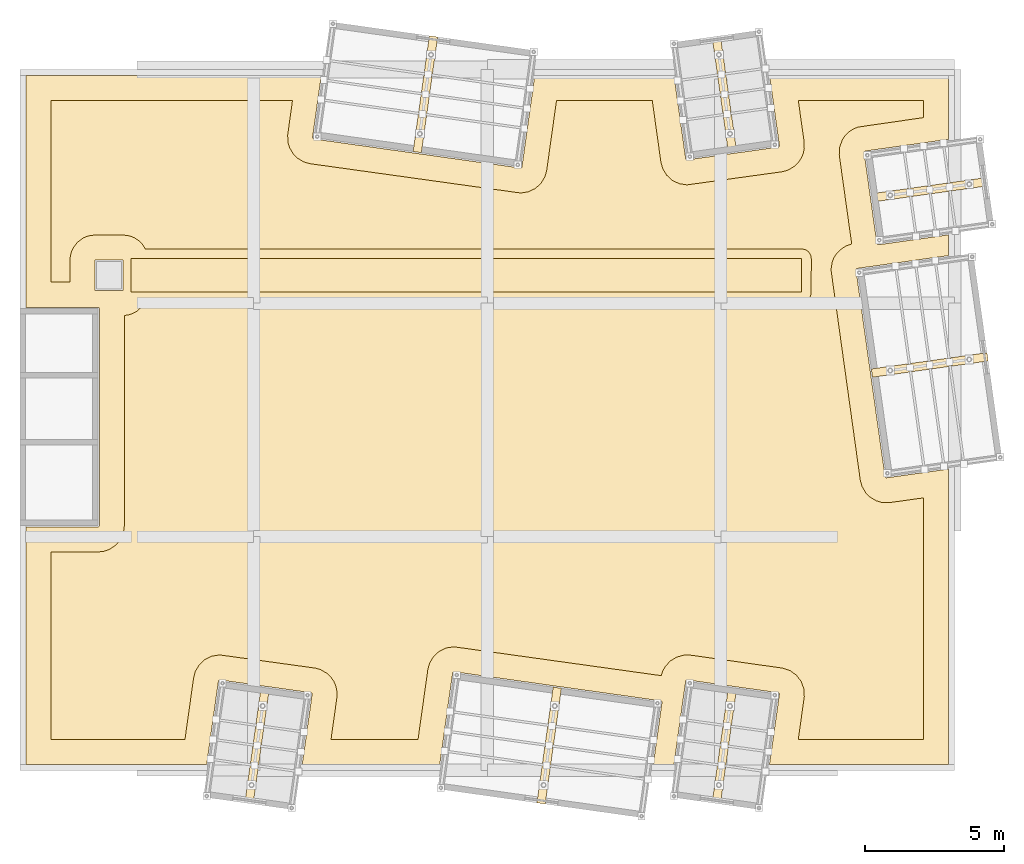
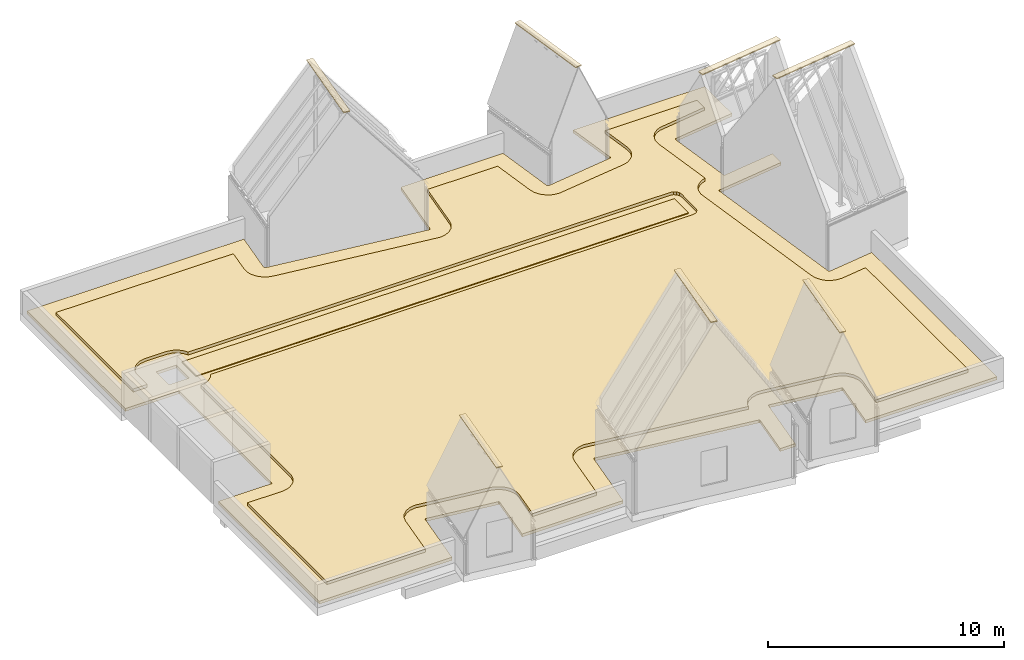
# One storey, part 11 of 11: 10 coverings.
"""IFC4 building model written with IfcOpenShell, lengths in metres."""

from ifc_helpers import new_model, si_unit, direction, frame, origin, place, context, subcontext, project, spatial, polyline, outline, extrude, material, layer, layer_set, type_object, element, save


model = new_model("IFC4")

# Units and contexts
model_context = context("Model", 3, precision=1e-05, world=origin(), true_north=direction((0.0, 1.0)))
body_context = subcontext(model_context, "Body", "Model", "MODEL_VIEW")
ifc_project = project(units=[si_unit("LENGTHUNIT", "METRE"), si_unit("AREAUNIT", "SQUARE_METRE"), si_unit("VOLUMEUNIT", "CUBIC_METRE"), si_unit("PLANEANGLEUNIT", "RADIAN"), si_unit("MASSUNIT", "GRAM", prefix="KILO")], contexts=[model_context])

# Site, building, storey
site_placement = place(None, origin())
site = spatial("IfcSite", under=ifc_project, at=site_placement, CompositionType="ELEMENT")
building_placement = place(site_placement, origin())
building = spatial("IfcBuilding", under=site, at=building_placement, Name="Kiln Court Media Centre", CompositionType="ELEMENT")
storey_placement = place(building_placement, frame((0.0, 0.0, 42.60009765625)))
storey = spatial("IfcBuildingStorey", under=building, at=storey_placement, Name="ROOF", CompositionType="ELEMENT", Elevation=42.60009765625)

# Coverings
ifc_material_1 = material(Name="Planting substrate and sedum")
ifc_layer_1 = layer(ifc_material_1, 0.14990234375)
ifc_layer_set_1 = layer_set([ifc_layer_1], Name="Green roof planting trays 150")
covering_type_1 = type_object("IfcCoveringType", Name="Green roof planting trays 150", PredefinedType="USERDEFINED", material=ifc_layer_set_1)
covering_1_placement = place(storey_placement, frame((0.0, 0.0, 0.14990234375)))
element("IfcCovering", 1, at=covering_1_placement, inside=storey, type_object=covering_type_1, Name="V6A green roof", ObjectType="GREEN ROOF", PredefinedType="USERDEFINED", context=body_context, shape_type="SweptSolid", body=[
    extrude(outline(polyline([(1.114990234375, 17.550048828125), (1.114990234375, 24.0849609375), (9.797119140625, 24.0849609375), (9.623046875, 22.83935546875), (9.63818359375, 22.56103515625), (9.695068359375, 22.378662109375), (9.837646484375, 22.144775390625), (9.973876953125, 22.0107421875), (10.2099609375, 21.87158203125), (10.436767578125, 21.810302734375), (18.000732421875, 20.75732421875), (18.2763671875, 20.7998046875), (18.527587890625, 20.920166015625), (18.736328125, 21.1123046875), (18.877197265625, 21.352783203125), (18.936767578125, 21.5751953125), (19.28955078125, 24.0849609375), (22.731201171875, 24.0849609375), (23.042724609375, 21.8671875), (23.10400390625, 21.640380859375), (23.24609375, 21.400634765625), (23.451904296875, 21.21240234375), (23.703125, 21.091796875), (23.978759765625, 21.049560546875), (27.42724609375, 21.525390625), (27.610595703125, 21.579345703125), (27.8466796875, 21.718505859375), (27.982666015625, 21.8525390625), (28.0869140625, 22.0068359375), (28.1591796875, 22.178466796875), (28.1962890625, 22.36083984375), (28.192138671875, 22.591064453125), (27.982421875, 24.0849609375), (32.485107421875, 24.0849609375), (32.485107421875, 23.46875), (30.133056640625, 23.128173828125), (29.960205078125, 23.05859375), (29.804443359375, 22.956787109375), (29.67138671875, 22.826416015625), (29.56640625, 22.6728515625), (29.4697265625, 22.411376953125), (29.453369140625, 22.133056640625), (29.903076171875, 18.9228515625), (29.748291015625, 18.87548828125), (29.587646484375, 18.791259765625), (29.3759765625, 18.602294921875), (29.271728515625, 18.447998046875), (29.201171875, 18.281005859375), (29.157470703125, 18.000732421875), (30.210205078125, 10.436767578125), (30.271484375, 10.2099609375), (30.41064453125, 9.973876953125), (30.544921875, 9.837646484375), (30.778564453125, 9.695068359375), (30.961181640625, 9.63818359375), (31.239501953125, 9.623046875), (32.485107421875, 9.797119140625), (32.485107421875, 1.114990234375), (27.982421875, 1.114990234375), (28.197265625, 2.65283203125), (28.18115234375, 2.93603515625), (28.084716796875, 3.197509765625), (27.916259765625, 3.419677734375), (27.695068359375, 3.581298828125), (27.43212890625, 3.673828125), (24.11572265625, 4.14111328125), (23.8857421875, 4.145263671875), (23.611083984375, 4.07421875), (23.37353515625, 3.9287109375), (23.1884765625, 3.72021484375), (23.10400390625, 3.5595703125), (23.056640625, 3.404541015625), (15.59912109375, 4.442626953125), (15.32373046875, 4.400390625), (15.072265625, 4.27978515625), (14.863525390625, 4.087890625), (14.72265625, 3.84716796875), (14.663330078125, 3.625), (14.310546875, 1.114990234375), (11.182373046875, 1.114990234375), (11.39208984375, 2.60888671875), (11.396240234375, 2.839111328125), (11.357666015625, 3.026123046875), (11.28466796875, 3.197509765625), (11.1796875, 3.351318359375), (11.046630859375, 3.481689453125), (10.810546875, 3.62060546875), (10.627197265625, 3.6748046875), (7.1787109375, 4.150390625), (6.9033203125, 4.108154296875), (6.65185546875, 3.987548828125), (6.4462890625, 3.79931640625), (6.30419921875, 3.5595703125), (6.242919921875, 3.332763671875), (5.93115234375, 1.114990234375), (1.114990234375, 1.114990234375), (1.114990234375, 7.849853515625), (2.800048828125, 7.849853515625), (3.0283203125, 7.877685546875), (3.20849609375, 7.942138671875), (3.43603515625, 8.094482421875), (3.564453125, 8.236083984375), (3.693603515625, 8.4775390625), (3.7392578125, 8.658203125), (3.75, 8.7998046875), (3.75, 16.3525390625), (3.961181640625, 16.388916015625), (4.199951171875, 16.501708984375), (4.395751953125, 16.678955078125), (4.505126953125, 16.85009765625), (28.13427734375, 16.851806640625), (28.264892578125, 16.891357421875), (28.347412109375, 16.952392578125), (28.40869140625, 17.034912109375), (28.443359375, 17.131591796875), (28.449951171875, 18.39990234375), (28.42333984375, 18.533935546875), (28.347412109375, 18.6474609375), (28.23388671875, 18.723388671875), (28.10009765625, 18.75), (4.505126953125, 18.75), (4.395751953125, 18.9208984375), (4.27099609375, 19.045654296875), (4.124267578125, 19.143798828125), (3.961181640625, 19.211181640625), (3.699951171875, 19.25), (2.699951171875, 19.25), (2.438720703125, 19.211181640625), (2.275634765625, 19.143798828125), (2.063720703125, 18.986328125), (1.90625, 18.7744140625), (1.8388671875, 18.611328125), (1.80419921875, 18.438232421875), (1.800048828125, 17.550048828125), (1.114990234375, 17.550048828125)])), origin(), (0.0, 0.0, 1.0), 0.14990234375),
])
ifc_material_2 = material(Name="Bituminous roofing membrane on insulation")
ifc_layer_2 = layer(ifc_material_2, 0.14990234375)
ifc_layer_set_2 = layer_set([ifc_layer_2], Name="Roofing membrane and insulation 150")
covering_type_2 = type_object("IfcCoveringType", Name="Roofing membrane and insulation 150", PredefinedType="ROOFING", material=ifc_layer_set_2)
covering_2_placement = place(storey_placement, origin())
element("IfcCovering", 2, at=covering_2_placement, inside=storey, type_object=covering_type_2, Name="V6A roofing", PredefinedType="ROOFING", context=body_context, shape_type="SweptSolid", body=[
    extrude(outline(polyline([(27.301513671875, 2.743896484375), (27.30078125, 2.748779296875), (27.2998046875, 2.753662109375), (27.29833984375, 2.75830078125), (27.29638671875, 2.762939453125), (27.294189453125, 2.76708984375), (27.29150390625, 2.771240234375), (27.288330078125, 2.77490234375), (27.284912109375, 2.778564453125), (27.281005859375, 2.781494140625), (27.27685546875, 2.7841796875), (27.2724609375, 2.78662109375), (27.267822265625, 2.788330078125), (27.26318359375, 2.789794921875), (27.25830078125, 2.790771484375), (23.990478515625, 3.25), (23.985595703125, 3.25048828125), (23.980712890625, 3.25048828125), (23.975830078125, 3.249755859375), (23.97119140625, 3.248779296875), (23.96630859375, 3.247314453125), (23.9619140625, 3.24560546875), (23.95751953125, 3.2431640625), (23.95361328125, 3.240478515625), (23.94970703125, 3.2373046875), (23.9462890625, 3.233642578125), (23.943115234375, 3.22998046875), (23.9404296875, 3.225830078125), (23.938232421875, 3.221435546875), (23.936279296875, 3.216796875), (23.93505859375, 3.212158203125), (23.93408203125, 3.20751953125), (23.513427734375, 0.215087890625), (22.767578125, 0.215087890625), (23.08056640625, 2.44189453125), (23.0810546875, 2.44677734375), (23.080810546875, 2.45166015625), (23.080322265625, 2.45654296875), (23.079345703125, 2.46142578125), (23.077880859375, 2.466064453125), (23.076171875, 2.470703125), (23.07373046875, 2.474853515625), (23.071044921875, 2.47900390625), (23.06787109375, 2.48291015625), (23.064208984375, 2.486083984375), (23.060546875, 2.4892578125), (23.056396484375, 2.491943359375), (23.052001953125, 2.494384765625), (23.047607421875, 2.49609375), (23.042724609375, 2.49755859375), (23.0380859375, 2.498291015625), (15.611083984375, 3.542236328125), (15.606201171875, 3.542724609375), (15.601318359375, 3.54248046875), (15.59619140625, 3.5419921875), (15.591552734375, 3.541015625), (15.5869140625, 3.539794921875), (15.582275390625, 3.53759765625), (15.577880859375, 3.535400390625), (15.573974609375, 3.53271484375), (15.5703125, 3.529541015625), (15.566650390625, 3.52587890625), (15.563720703125, 3.522216796875), (15.560791015625, 3.51806640625), (15.55859375, 3.513671875), (15.556884765625, 3.50927734375), (15.555419921875, 3.50439453125), (15.554443359375, 3.499755859375), (15.093017578125, 0.215087890625), (10.14697265625, 0.215087890625), (10.5009765625, 2.734130859375), (10.50146484375, 2.739013671875), (10.50146484375, 2.743896484375), (10.5009765625, 2.748779296875), (10.5, 2.753662109375), (10.498291015625, 2.75830078125), (10.49658203125, 2.762939453125), (10.494140625, 2.76708984375), (10.491455078125, 2.771240234375), (10.48828125, 2.77490234375), (10.48486328125, 2.778564453125), (10.48095703125, 2.781494140625), (10.476806640625, 2.7841796875), (10.472412109375, 2.78662109375), (10.468017578125, 2.788330078125), (10.463134765625, 2.789794921875), (10.45849609375, 2.790771484375), (7.1904296875, 3.25), (7.185546875, 3.25048828125), (7.1806640625, 3.25048828125), (7.17578125, 3.249755859375), (7.171142578125, 3.248779296875), (7.16650390625, 3.247314453125), (7.161865234375, 3.24560546875), (7.157470703125, 3.2431640625), (7.153564453125, 3.240478515625), (7.149658203125, 3.2373046875), (7.146240234375, 3.233642578125), (7.143310546875, 3.22998046875), (7.140380859375, 3.225830078125), (7.13818359375, 3.221435546875), (7.136474609375, 3.216796875), (7.135009765625, 3.212158203125), (7.134033203125, 3.20751953125), (6.71337890625, 0.215087890625), (0.215087890625, 0.215087890625), (0.215087890625, 8.75), (2.800048828125, 8.75), (2.804931640625, 8.75), (2.809814453125, 8.7509765625), (2.814453125, 8.752197265625), (2.819091796875, 8.753662109375), (2.823486328125, 8.755859375), (2.827880859375, 8.75830078125), (2.831787109375, 8.76123046875), (2.83544921875, 8.764404296875), (2.838623046875, 8.768310546875), (2.841552734375, 8.772216796875), (2.843994140625, 8.7763671875), (2.84619140625, 8.78076171875), (2.847900390625, 8.785400390625), (2.84912109375, 8.7900390625), (2.849853515625, 8.794921875), (2.85009765625, 8.7998046875), (2.85009765625, 9.0), (2.85009765625, 9.0), (2.85009765625, 9.0), (2.85009765625, 11.699951171875), (2.85009765625, 11.699951171875), (2.85009765625, 11.89990234375), (2.85009765625, 14.10009765625), (2.85009765625, 14.10009765625), (2.85009765625, 14.300048828125), (2.85009765625, 14.300048828125), (2.85009765625, 16.39990234375), (2.85009765625, 16.39990234375), (2.85009765625, 16.39990234375), (2.85009765625, 16.60009765625), (2.849853515625, 16.60498046875), (2.84912109375, 16.60986328125), (2.847900390625, 16.614501953125), (2.84619140625, 16.619140625), (2.843994140625, 16.62353515625), (2.841552734375, 16.627685546875), (2.838623046875, 16.631591796875), (2.83544921875, 16.635498046875), (2.831787109375, 16.638671875), (2.827880859375, 16.6416015625), (2.823486328125, 16.64404296875), (2.819091796875, 16.646240234375), (2.814453125, 16.647705078125), (2.809814453125, 16.64892578125), (2.804931640625, 16.64990234375), (2.800048828125, 16.64990234375), (0.215087890625, 16.64990234375), (0.215087890625, 24.985107421875), (10.83251953125, 24.985107421875), (10.51953125, 22.758056640625), (10.51904296875, 22.753173828125), (10.51904296875, 22.748291015625), (10.51953125, 22.743408203125), (10.5205078125, 22.738525390625), (10.52197265625, 22.73388671875), (10.52392578125, 22.7294921875), (10.5263671875, 22.72509765625), (10.529052734375, 22.720947265625), (10.5322265625, 22.71728515625), (10.53564453125, 22.7138671875), (10.53955078125, 22.710693359375), (10.543701171875, 22.7080078125), (10.5478515625, 22.705810546875), (10.552490234375, 22.703857421875), (10.55712890625, 22.702392578125), (10.56201171875, 22.70166015625), (17.989013671875, 21.65771484375), (17.993896484375, 21.6572265625), (17.998779296875, 21.657470703125), (18.003662109375, 21.657958984375), (18.008544921875, 21.658935546875), (18.01318359375, 21.660400390625), (18.017578125, 21.662353515625), (18.02197265625, 21.66455078125), (18.026123046875, 21.66748046875), (18.02978515625, 21.67041015625), (18.033203125, 21.674072265625), (18.036376953125, 21.677734375), (18.0390625, 21.681884765625), (18.041259765625, 21.686279296875), (18.043212890625, 21.69091796875), (18.044677734375, 21.695556640625), (18.04541015625, 21.7001953125), (18.507080078125, 24.985107421875), (23.513427734375, 24.985107421875), (23.93408203125, 21.99267578125), (23.93505859375, 21.98779296875), (23.936279296875, 21.983154296875), (23.938232421875, 21.978515625), (23.9404296875, 21.97412109375), (23.943115234375, 21.97021484375), (23.9462890625, 21.96630859375), (23.94970703125, 21.962890625), (23.95361328125, 21.959716796875), (23.95751953125, 21.956787109375), (23.9619140625, 21.95458984375), (23.96630859375, 21.95263671875), (23.97119140625, 21.951171875), (23.975830078125, 21.9501953125), (23.980712890625, 21.94970703125), (23.985595703125, 21.94970703125), (23.990478515625, 21.949951171875), (27.25830078125, 22.4091796875), (27.26318359375, 22.41015625), (27.267822265625, 22.41162109375), (27.2724609375, 22.41357421875), (27.27685546875, 22.415771484375), (27.281005859375, 22.41845703125), (27.284912109375, 22.42138671875), (27.288330078125, 22.425048828125), (27.29150390625, 22.4287109375), (27.294189453125, 22.432861328125), (27.29638671875, 22.43701171875), (27.29833984375, 22.441650390625), (27.2998046875, 22.4462890625), (27.30078125, 22.451171875), (27.301513671875, 22.4560546875), (27.301513671875, 22.4609375), (27.301025390625, 22.4658203125), (26.947021484375, 24.985107421875), (33.385009765625, 24.985107421875), (33.385009765625, 22.6865234375), (30.392578125, 22.265869140625), (30.3876953125, 22.264892578125), (30.383056640625, 22.263671875), (30.37841796875, 22.26171875), (30.374267578125, 22.259521484375), (30.3701171875, 22.2568359375), (30.3662109375, 22.253662109375), (30.36279296875, 22.250244140625), (30.359619140625, 22.24658203125), (30.35693359375, 22.242431640625), (30.3544921875, 22.238037109375), (30.3525390625, 22.233642578125), (30.351318359375, 22.22900390625), (30.35009765625, 22.22412109375), (30.349609375, 22.21923828125), (30.349609375, 22.21435546875), (30.35009765625, 22.20947265625), (30.809326171875, 18.941650390625), (30.810302734375, 18.936767578125), (30.8115234375, 18.93212890625), (30.8134765625, 18.927490234375), (30.815673828125, 18.923095703125), (30.818359375, 18.919189453125), (30.821533203125, 18.915283203125), (30.824951171875, 18.91162109375), (30.82861328125, 18.90869140625), (30.832763671875, 18.90576171875), (30.837158203125, 18.903564453125), (30.841552734375, 18.901611328125), (30.84619140625, 18.900146484375), (30.85107421875, 18.899169921875), (30.85595703125, 18.898681640625), (30.86083984375, 18.898681640625), (30.86572265625, 18.89892578125), (33.385009765625, 19.253173828125), (33.385009765625, 18.507080078125), (30.100341796875, 18.04541015625), (30.095458984375, 18.044677734375), (30.0908203125, 18.043212890625), (30.086181640625, 18.041259765625), (30.081787109375, 18.0390625), (30.077880859375, 18.036376953125), (30.073974609375, 18.033203125), (30.070556640625, 18.02978515625), (30.0673828125, 18.026123046875), (30.064697265625, 18.02197265625), (30.062255859375, 18.017578125), (30.060302734375, 18.01318359375), (30.058837890625, 18.008544921875), (30.057861328125, 18.003662109375), (30.057373046875, 17.998779296875), (30.057373046875, 17.993896484375), (30.057861328125, 17.989013671875), (31.1015625, 10.56201171875), (31.1025390625, 10.55712890625), (31.10400390625, 10.552490234375), (31.105712890625, 10.5478515625), (31.10791015625, 10.543701171875), (31.110595703125, 10.53955078125), (31.11376953125, 10.53564453125), (31.1171875, 10.5322265625), (31.12109375, 10.529052734375), (31.125, 10.5263671875), (31.12939453125, 10.52392578125), (31.1337890625, 10.52197265625), (31.138671875, 10.5205078125), (31.143310546875, 10.51953125), (31.148193359375, 10.51904296875), (31.1533203125, 10.51904296875), (31.158203125, 10.51953125), (33.385009765625, 10.83251953125), (33.385009765625, 0.215087890625), (26.947021484375, 0.215087890625), (27.301025390625, 2.734130859375), (27.301513671875, 2.739013671875), (27.301513671875, 2.743896484375)]), holes=[polyline([(3.699951171875, 17.25), (3.699951171875, 18.35009765625), (2.699951171875, 18.35009765625), (2.699951171875, 17.25), (3.699951171875, 17.25)])]), origin(), (0.0, 0.0, 1.0), 0.14990234375),
])
ifc_material_3 = material(Name="Standing seam roofing")
ifc_layer_3 = layer(ifc_material_3, 0.050048828125)
ifc_layer_set_3 = layer_set([ifc_layer_3], Name="Standing seam ridge cap 50")
covering_type_3 = type_object("IfcCoveringType", Name="Standing seam ridge cap 50", PredefinedType="USERDEFINED", material=ifc_layer_set_3)
covering_3_placement = place(storey_placement, frame((0.0, 0.0, 5.103759765625)))
element("IfcCovering", 3, at=covering_3_placement, inside=storey, type_object=covering_type_3, Name="CROWN-1 ridge cap", ObjectType="RIDGE CAP", PredefinedType="USERDEFINED", context=body_context, shape_type="SweptSolid", body=[
    extrude(outline(polyline([(8.6689453125, 2.99169921875), (8.966064453125, 2.949951171875), (8.381591796875, -1.209228515625), (8.08447265625, -1.16748046875), (8.6689453125, 2.99169921875)])), origin(), (0.0, 0.0, 1.0), 0.050048828125),
])
covering_4_placement = place(storey_placement, frame((0.0, 0.0, 8.946044921875)))
element("IfcCovering", 4, at=covering_4_placement, inside=storey, type_object=covering_type_3, Name="CROWN-2 ridge cap", ObjectType="RIDGE CAP", PredefinedType="USERDEFINED", context=body_context, shape_type="SweptSolid", body=[
    extrude(outline(polyline([(19.1689453125, 2.99169921875), (19.466064453125, 2.949951171875), (18.881591796875, -1.209228515625), (18.58447265625, -1.16748046875), (19.1689453125, 2.99169921875)])), origin(), (0.0, 0.0, 1.0), 0.050048828125),
])
covering_5_placement = place(storey_placement, frame((0.0, 0.0, 6.208984375)))
element("IfcCovering", 5, at=covering_5_placement, inside=storey, type_object=covering_type_3, Name="CROWN-3 ridge cap", ObjectType="RIDGE CAP", PredefinedType="USERDEFINED", context=body_context, shape_type="SweptSolid", body=[
    extrude(outline(polyline([(25.468994140625, 2.99169921875), (25.76611328125, 2.949951171875), (25.181396484375, -1.209228515625), (24.884521484375, -1.16748046875), (25.468994140625, 2.99169921875)])), origin(), (0.0, 0.0, 1.0), 0.050048828125),
])
covering_6_placement = place(storey_placement, frame((0.0, 0.0, 8.05322265625)))
element("IfcCovering", 6, at=covering_6_placement, inside=storey, type_object=covering_type_3, Name="CROWN-4 ridge cap", ObjectType="RIDGE CAP", PredefinedType="USERDEFINED", context=body_context, shape_type="SweptSolid", body=[
    extrude(outline(polyline([(30.650146484375, 14.1337890625), (30.6083984375, 14.430908203125), (34.767333984375, 15.015380859375), (34.80908203125, 14.718505859375), (30.650146484375, 14.1337890625)])), origin(), (0.0, 0.0, 1.0), 0.050048828125),
])
covering_7_placement = place(storey_placement, frame((0.0, 0.0, 4.44091796875)))
element("IfcCovering", 7, at=covering_7_placement, inside=storey, type_object=covering_type_3, Name="CROWN-5 ridge cap", ObjectType="RIDGE CAP", PredefinedType="USERDEFINED", context=body_context, shape_type="SweptSolid", body=[
    extrude(outline(polyline([(30.650146484375, 20.433837890625), (30.6083984375, 20.73095703125), (34.767333984375, 21.3154296875), (34.80908203125, 21.0185546875), (30.650146484375, 20.433837890625)])), origin(), (0.0, 0.0, 1.0), 0.050048828125),
])
covering_8_placement = place(storey_placement, frame((0.0, 0.0, 7.160400390625)))
element("IfcCovering", 8, at=covering_8_placement, inside=storey, type_object=covering_type_3, Name="CROWN-6 ridge cap", ObjectType="RIDGE CAP", PredefinedType="USERDEFINED", context=body_context, shape_type="SweptSolid", body=[
    extrude(outline(polyline([(14.1337890625, 22.25), (14.430908203125, 22.208251953125), (15.015380859375, 26.367431640625), (14.718505859375, 26.4091796875), (14.1337890625, 22.25)])), origin(), (0.0, 0.0, 1.0), 0.050048828125),
])
covering_9_placement = place(storey_placement, frame((0.0, 0.0, 5.5458984375)))
element("IfcCovering", 9, at=covering_9_placement, inside=storey, type_object=covering_type_3, Name="CROWN-7 ridge cap", ObjectType="RIDGE CAP", PredefinedType="USERDEFINED", context=body_context, shape_type="SweptSolid", body=[
    extrude(outline(polyline([(25.468994140625, 22.208251953125), (25.76611328125, 22.25), (25.181396484375, 26.4091796875), (24.884521484375, 26.367431640625), (25.468994140625, 22.208251953125)])), origin(), (0.0, 0.0, 1.0), 0.050048828125),
])
ifc_material_4 = material(Name="Hardwood timber decking", Category="wood")
ifc_layer_4 = layer(ifc_material_4, 0.0400390625)
ifc_layer_set_4 = layer_set([ifc_layer_4], Name="Timber decking on battens 40")
covering_type_4 = type_object("IfcCoveringType", Name="Timber decking on battens 40", PredefinedType="FLOORING", material=ifc_layer_set_4)
covering_10_placement = place(storey_placement, frame((0.0, 0.0, 0.14990234375)))
element("IfcCovering", 10, at=covering_10_placement, inside=storey, type_object=covering_type_4, Name="V6A roof maintenance walkway", PredefinedType="FLOORING", context=body_context, shape_type="SweptSolid", body=[
    extrude(outline(polyline([(28.10009765625, 18.39990234375), (28.10009765625, 17.199951171875), (3.99560546875, 17.199951171875), (3.99560546875, 18.39990234375), (28.10009765625, 18.39990234375)])), origin(), (0.0, 0.0, 1.0), 0.0400390625),
])

save(model, "model.ifc")
